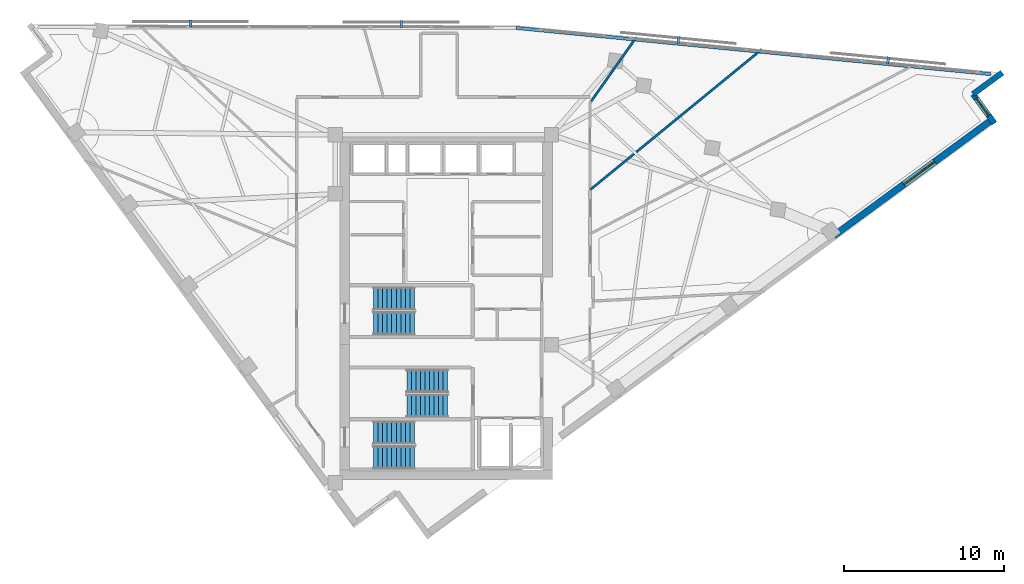
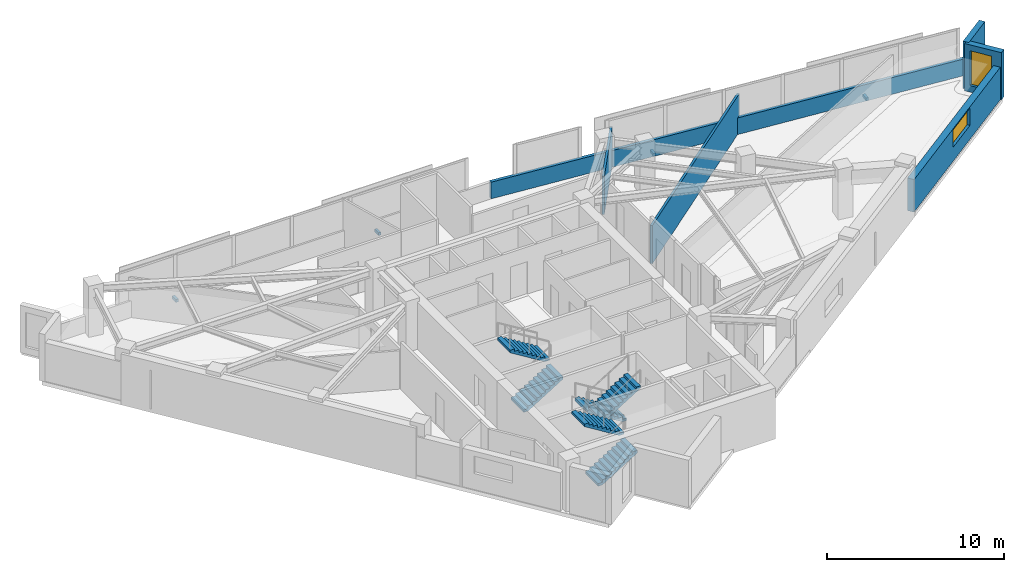
# One storey, part 11 of 13: 6 stair flights, 6 walls, 4 discrete accessories, 2 windows, 2 openings, 3 elements without a shape of their own.
"""IFC4 building model written with IfcOpenShell, lengths in metres."""

from ifc_helpers import new_model, si_unit, direction, frame, frame_2d, origin, origin_2d, place, context, subcontext, project, spatial, polyline, rectangle, outline, extrude, material, layer, layer_set, type_object, element, fill, aggregate, save


model = new_model("IFC4")

# Units and contexts
model_context = context("Model", 3, precision=1e-05, world=origin(), true_north=direction((0.0, 1.0)))
body_context = subcontext(model_context, "Body", "Model", "MODEL_VIEW")
ifc_project = project(units=[si_unit("LENGTHUNIT", "METRE"), si_unit("AREAUNIT", "SQUARE_METRE"), si_unit("VOLUMEUNIT", "CUBIC_METRE"), si_unit("PLANEANGLEUNIT", "RADIAN"), si_unit("MASSUNIT", "GRAM", prefix="KILO")], contexts=[model_context])

# Site, building, storey
site_placement = place(None, origin())
site = spatial("IfcSite", under=ifc_project, at=site_placement, CompositionType="ELEMENT")
building_placement = place(site_placement, origin())
building = spatial("IfcBuilding", under=site, at=building_placement, Name="Narakoshi Arena Tower", CompositionType="ELEMENT")
storey_placement = place(building_placement, frame((0.0, 0.0, 246.659912109375)))
storey = spatial("IfcBuildingStorey", under=building, at=storey_placement, Name="L67", CompositionType="ELEMENT", Elevation=246.659912109375)

# Wall
ifc_material_1 = material(Name="Precast concrete C45/55", Category="concrete")
ifc_layer_1 = layer(ifc_material_1, 0.25)
ifc_layer_set_1 = layer_set([ifc_layer_1], Name="Precast concrete C45/55")
wall_type_1 = type_object("IfcWallType", Name="WL-PARA-250", PredefinedType="PARAPET", material=ifc_layer_set_1)
wall_1_placement = place(storey_placement, frame((113.093505859375, 60.296630859375, 0.0), z_axis=(0.0, 0.0, 1.0), x_axis=(-0.995299069493, 0.096849172769, 0.0)))
element("IfcWall", 1, at=wall_1_placement, inside=storey, type_object=wall_type_1, Name="L67 Hypotenuse Sill Upstand Parapet 1-01", PredefinedType="PARAPET", context=body_context, shape_type="SweptSolid", body=[
    extrude(rectangle(XDim=29.917236328125, YDim=0.199951171875, at=frame_2d((14.95849609375, 0.0))), origin(), (0.0, 0.0, 1.0), 1.150146484375),
])

# Wall, opening, window
ifc_layer_2 = layer(ifc_material_1, 0.419921875)
ifc_layer_set_2 = layer_set([ifc_layer_2], Name="Precast concrete C45/55")
wall_type_2 = type_object("IfcWallType", Name="WL-POD-420", PredefinedType="SOLIDWALL", material=ifc_layer_set_2)
wall_2_placement = place(storey_placement, frame((103.236572265625, 50.17529296875, 0.0), z_axis=(0.0, 0.0, 1.0), x_axis=(0.80643721533, 0.591319725471, 0.0)))
wall_2 = element("IfcWall", 2, at=wall_2_placement, inside=storey, type_object=wall_type_2, Name="L67 Architectural Concrete Facade Wall LEGA-4", PredefinedType="SOLIDWALL", context=body_context, shape_type="SweptSolid", body=[
    extrude(rectangle(XDim=12.285400390625, YDim=0.419921875, at=frame_2d((6.142578125, 0.0))), origin(), (0.0, 0.0, 1.0), 2.2451171875),
])
opening_1_placement = place(wall_2_placement, frame((5.443359375, 0.0, 0.965087890625)))
opening_1 = element("IfcOpeningElement", 3, at=opening_1_placement, cuts=wall_2, Name="Opening WN-04", PredefinedType="OPENING", context=body_context, shape_type="SweptSolid", body=[
    extrude(rectangle(XDim=2.39990234375, YDim=1.199951171875, at=frame_2d((1.199951171875, 0.60009765625))), frame((0.0, 0.219970703125, 0.0), z_axis=(0.0, -1.0, 0.0), x_axis=(1.0, 0.0, 0.0)), (0.0, 0.0, 1.0), 0.43994140625),
])
ifc_material_2 = material(Name="Bronze-tinted low-E laminated glass", Category="glass")
window_type_1 = type_object("IfcWindowType", Name="WIN-SLT-24x12", PartitioningType="SINGLE_PANEL", PredefinedType="WINDOW", material=ifc_material_2)
window_1_placement = place(opening_1_placement, origin())
window_1 = element("IfcWindow", 4, at=window_1_placement, inside=storey, type_object=window_type_1, Name="L67 LEGA4 Horizontal Slot Window 1", OverallHeight=1.199951171875, OverallWidth=2.39990234375, PartitioningType="SINGLE_PANEL", PredefinedType="WINDOW", context=body_context, shape_type="SweptSolid", body=[
    extrude(rectangle(XDim=2.39990234375, YDim=1.199951171875, at=frame_2d((1.199951171875, 0.60009765625))), frame((0.0, 0.030029296875, 0.0), z_axis=(0.0, -1.0, 0.0), x_axis=(1.0, 0.0, 0.0)), (0.0, 0.0, 1.0), 0.06005859375),
])
fill(opening_1, window_1)

wall_3_placement = place(storey_placement, frame((113.306640625, 57.218017578125, 0.0), z_axis=(0.0, 0.0, 1.0), x_axis=(-0.591251685745, 0.806487101015, 0.0)))
wall_3 = element("IfcWall", 5, at=wall_3_placement, inside=storey, type_object=wall_type_2, Name="L67 Re-Entrant Corner Notch Wall NTE-1", PredefinedType="SOLIDWALL", context=body_context, shape_type="SweptSolid", body=[
    extrude(rectangle(XDim=2.2685546875, YDim=0.360107421875, at=frame_2d((1.13427734375, 0.0))), origin(), (0.0, 0.0, 1.0), 3.260009765625),
])
opening_2_placement = place(wall_3_placement, frame((0.628662109375, 0.0, 0.449951171875)))
opening_2 = element("IfcOpeningElement", 6, at=opening_2_placement, cuts=wall_3, Name="Opening WN-06", PredefinedType="OPENING", context=body_context, shape_type="SweptSolid", body=[
    extrude(rectangle(XDim=1.300048828125, YDim=2.39990234375, at=frame_2d((0.64990234375, 1.199951171875))), frame((0.0, 0.18994140625, 0.0), z_axis=(0.0, -1.0, 0.0), x_axis=(1.0, 0.0, 0.0)), (0.0, 0.0, 1.0), 0.380126953125),
])
window_type_2 = type_object("IfcWindowType", Name="WIN-NTC-16x24", PartitioningType="SINGLE_PANEL", PredefinedType="WINDOW", material=ifc_material_2)
window_2_placement = place(opening_2_placement, origin())
window_2 = element("IfcWindow", 7, at=window_2_placement, inside=storey, type_object=window_type_2, Name="L67 Corner Notch Window NTE", OverallHeight=2.39990234375, OverallWidth=1.300048828125, PartitioningType="SINGLE_PANEL", PredefinedType="WINDOW", context=body_context, shape_type="SweptSolid", body=[
    extrude(rectangle(XDim=1.300048828125, YDim=2.39990234375, at=frame_2d((0.64990234375, 1.199951171875))), frame((0.0, 0.030029296875, 0.0), z_axis=(0.0, -1.0, 0.0), x_axis=(1.0, 0.0, 0.0)), (0.0, 0.0, 1.0), 0.06005859375),
])
fill(opening_2, window_2)

# Walls
wall_4_placement = place(storey_placement, frame((111.96533203125, 59.047607421875, 0.0), z_axis=(0.0, 0.0, 1.0), x_axis=(0.806435785153, 0.59132167593, 0.0)))
element("IfcWall", 8, at=wall_4_placement, inside=storey, type_object=wall_type_2, Name="L67 Re-Entrant Corner Notch Wall NTE-2", PredefinedType="SOLIDWALL", context=body_context, shape_type="SweptSolid", body=[
    extrude(rectangle(XDim=2.268798828125, YDim=0.360107421875, at=frame_2d((1.13427734375, 0.0))), origin(), (0.0, 0.0, 1.0), 3.260009765625),
])
ifc_material_3 = material(Name="Moisture-resistant cement-board partition")
ifc_layer_3 = layer(ifc_material_3, 0.14501953125)
ifc_layer_set_3 = layer_set([ifc_layer_3], Name="Moisture-resistant cement-board partition")
wall_type_3 = type_object("IfcWallType", Name="WL-WET-145", PredefinedType="PARTITIONING", material=ifc_layer_set_3)
wall_5_placement = place(storey_placement, frame((87.966796875, 53.045654296875, 0.0), z_axis=(0.0, 0.0, 1.0), x_axis=(0.773820411184, 0.633405060949, 0.0)))
element("IfcWall", 9, at=wall_5_placement, inside=storey, type_object=wall_type_3, Name="L67 Inter-Room Partition 04-05", PredefinedType="PARTITIONING", context=body_context, shape_type="SweptSolid", body=[
    extrude(rectangle(XDim=13.907958984375, YDim=0.14501953125, at=frame_2d((6.9541015625, 0.0))), origin(), (0.0, 0.0, 1.0), 2.64501953125),
])
wall_6_placement = place(storey_placement, frame((88.026611328125, 58.5869140625, 0.0), z_axis=(0.0, 0.0, 1.0), x_axis=(0.576681255658, 0.816969234043, 0.0)))
element("IfcWall", 10, at=wall_6_placement, inside=storey, type_object=wall_type_3, Name="L67 Inter-Room Partition 05-06", PredefinedType="PARTITIONING", context=body_context, shape_type="SweptSolid", body=[
    extrude(rectangle(XDim=4.935791015625, YDim=0.14501953125, at=frame_2d((2.4677734375, 0.0))), origin(), (0.0, 0.0, 1.0), 2.64501953125),
])

# Stair, stair flights
ifc_material_4 = material(Name="Concrete C45/55", Category="concrete")
stair_type = type_object("IfcStairType", Name="STR-CORE-352", PredefinedType="TWO_STRAIGHT_RUN_STAIR", material=ifc_material_4)
stair_1_placement = place(storey_placement, origin())
stair_1 = element("IfcStair", 11, at=stair_1_placement, inside=storey, type_object=stair_type, Name="L67 Core Escape Stair ST1", PredefinedType="TWO_STRAIGHT_RUN_STAIR")
stair_flight_type = type_object("IfcStairFlightType", Name="FLT-145-160", PredefinedType="STRAIGHT", material=ifc_material_1)
stair_flight_1_placement = place(storey_placement, frame((74.39990234375, 36.27490234375, 0.0), z_axis=(0.0, 0.0, 1.0), x_axis=(1.0, 0.0, 0.0)))
stair_flight_1 = element("IfcStairFlight", 12, at=stair_flight_1_placement, type_object=stair_flight_type, Name="ST1 flight 1", NumberOfRisers=10, NumberOfTreads=9, PredefinedType="STRAIGHT", RiserHeight=0.176, TreadLength=0.285, context=body_context, shape_type="SweptSolid", body=[
    extrude(outline(polyline([(0.0, 0.0), (0.0, 0.176025390625), (0.284912109375, 0.176025390625), (0.284912109375, 0.35205078125), (0.570068359375, 0.35205078125), (0.570068359375, 0.528076171875), (0.85498046875, 0.528076171875), (0.85498046875, 0.7041015625), (1.139892578125, 0.7041015625), (1.139892578125, 0.8798828125), (1.425048828125, 0.8798828125), (1.425048828125, 1.055908203125), (1.7099609375, 1.055908203125), (1.7099609375, 1.23193359375), (1.9951171875, 1.23193359375), (1.9951171875, 1.407958984375), (2.280029296875, 1.407958984375), (2.280029296875, 1.583984375), (2.56494140625, 1.583984375), (2.56494140625, 1.760009765625), (2.56494140625, 1.40771484375), (0.285400390625, 0.0), (0.0, 0.0)])), frame((0.0, 0.72509765625, 0.0), z_axis=(0.0, -1.0, 0.0), x_axis=(1.0, 0.0, 0.0)), (0.0, 0.0, 1.0), 1.449951171875),
])
stair_flight_2_placement = place(storey_placement, frame((76.965087890625, 37.824951171875, 1.760009765625), z_axis=(0.0, 0.0, 1.0), x_axis=(-1.0, 0.0, 0.0)))
stair_flight_2 = element("IfcStairFlight", 13, at=stair_flight_2_placement, type_object=stair_flight_type, Name="ST1 flight 2", NumberOfRisers=10, NumberOfTreads=9, PredefinedType="STRAIGHT", RiserHeight=0.176, TreadLength=0.285, context=body_context, shape_type="SweptSolid", body=[
    extrude(outline(polyline([(0.0, 0.0), (0.0, 0.176025390625), (0.284912109375, 0.176025390625), (0.284912109375, 0.35205078125), (0.570068359375, 0.35205078125), (0.570068359375, 0.528076171875), (0.85498046875, 0.528076171875), (0.85498046875, 0.7041015625), (1.139892578125, 0.7041015625), (1.139892578125, 0.8798828125), (1.425048828125, 0.8798828125), (1.425048828125, 1.055908203125), (1.7099609375, 1.055908203125), (1.7099609375, 1.23193359375), (1.9951171875, 1.23193359375), (1.9951171875, 1.407958984375), (2.280029296875, 1.407958984375), (2.280029296875, 1.583984375), (2.56494140625, 1.583984375), (2.56494140625, 1.760009765625), (2.56494140625, 1.40771484375), (0.285400390625, 0.0), (0.0, 0.0)])), frame((0.0, 0.72509765625, 0.0), z_axis=(0.0, -1.0, 0.0), x_axis=(1.0, 0.0, 0.0)), (0.0, 0.0, 1.0), 1.449951171875),
])
aggregate(stair_1, [stair_flight_1, stair_flight_2])

stair_2_placement = place(storey_placement, origin())
stair_2 = element("IfcStair", 14, at=stair_2_placement, inside=storey, type_object=stair_type, Name="L67 Core Escape Stair ST2", PredefinedType="TWO_STRAIGHT_RUN_STAIR")
stair_flight_3_placement = place(storey_placement, frame((79.050048828125, 41.074951171875, 0.0), z_axis=(0.0, 0.0, 1.0), x_axis=(-1.0, 0.0, 0.0)))
stair_flight_3 = element("IfcStairFlight", 15, at=stair_flight_3_placement, type_object=stair_flight_type, Name="ST2 flight 1", NumberOfRisers=10, NumberOfTreads=9, PredefinedType="STRAIGHT", RiserHeight=0.176, TreadLength=0.285, context=body_context, shape_type="SweptSolid", body=[
    extrude(outline(polyline([(0.0, 0.0), (0.0, 0.176025390625), (0.284912109375, 0.176025390625), (0.284912109375, 0.35205078125), (0.570068359375, 0.35205078125), (0.570068359375, 0.528076171875), (0.85498046875, 0.528076171875), (0.85498046875, 0.7041015625), (1.139892578125, 0.7041015625), (1.139892578125, 0.8798828125), (1.425048828125, 0.8798828125), (1.425048828125, 1.055908203125), (1.7099609375, 1.055908203125), (1.7099609375, 1.23193359375), (1.9951171875, 1.23193359375), (1.9951171875, 1.407958984375), (2.280029296875, 1.407958984375), (2.280029296875, 1.583984375), (2.56494140625, 1.583984375), (2.56494140625, 1.760009765625), (2.56494140625, 1.40771484375), (0.285400390625, 0.0), (0.0, 0.0)])), frame((0.0, 0.72509765625, 0.0), z_axis=(0.0, -1.0, 0.0), x_axis=(1.0, 0.0, 0.0)), (0.0, 0.0, 1.0), 1.449951171875),
])
stair_flight_4_placement = place(storey_placement, frame((76.485107421875, 39.52490234375, 1.760009765625), z_axis=(0.0, 0.0, 1.0), x_axis=(1.0, 0.0, 0.0)))
stair_flight_4 = element("IfcStairFlight", 16, at=stair_flight_4_placement, type_object=stair_flight_type, Name="ST2 flight 2", NumberOfRisers=10, NumberOfTreads=9, PredefinedType="STRAIGHT", RiserHeight=0.176, TreadLength=0.285, context=body_context, shape_type="SweptSolid", body=[
    extrude(outline(polyline([(0.0, 0.0), (0.0, 0.176025390625), (0.284912109375, 0.176025390625), (0.284912109375, 0.35205078125), (0.570068359375, 0.35205078125), (0.570068359375, 0.528076171875), (0.85498046875, 0.528076171875), (0.85498046875, 0.7041015625), (1.139892578125, 0.7041015625), (1.139892578125, 0.8798828125), (1.425048828125, 0.8798828125), (1.425048828125, 1.055908203125), (1.7099609375, 1.055908203125), (1.7099609375, 1.23193359375), (1.9951171875, 1.23193359375), (1.9951171875, 1.407958984375), (2.280029296875, 1.407958984375), (2.280029296875, 1.583984375), (2.56494140625, 1.583984375), (2.56494140625, 1.760009765625), (2.56494140625, 1.40771484375), (0.285400390625, 0.0), (0.0, 0.0)])), frame((0.0, 0.72509765625, 0.0), z_axis=(0.0, -1.0, 0.0), x_axis=(1.0, 0.0, 0.0)), (0.0, 0.0, 1.0), 1.449951171875),
])
aggregate(stair_2, [stair_flight_3, stair_flight_4])

stair_3_placement = place(storey_placement, origin())
stair_3 = element("IfcStair", 17, at=stair_3_placement, inside=storey, type_object=stair_type, Name="L67 Core Escape Stair ST3", PredefinedType="TWO_STRAIGHT_RUN_STAIR")
stair_flight_5_placement = place(storey_placement, frame((74.39990234375, 44.675048828125, 0.0), z_axis=(0.0, 0.0, 1.0), x_axis=(1.0, 0.0, 0.0)))
stair_flight_5 = element("IfcStairFlight", 18, at=stair_flight_5_placement, type_object=stair_flight_type, Name="ST3 flight 1", NumberOfRisers=10, NumberOfTreads=9, PredefinedType="STRAIGHT", RiserHeight=0.176, TreadLength=0.285, context=body_context, shape_type="SweptSolid", body=[
    extrude(outline(polyline([(0.0, 0.0), (0.0, 0.176025390625), (0.284912109375, 0.176025390625), (0.284912109375, 0.35205078125), (0.570068359375, 0.35205078125), (0.570068359375, 0.528076171875), (0.85498046875, 0.528076171875), (0.85498046875, 0.7041015625), (1.139892578125, 0.7041015625), (1.139892578125, 0.8798828125), (1.425048828125, 0.8798828125), (1.425048828125, 1.055908203125), (1.7099609375, 1.055908203125), (1.7099609375, 1.23193359375), (1.9951171875, 1.23193359375), (1.9951171875, 1.407958984375), (2.280029296875, 1.407958984375), (2.280029296875, 1.583984375), (2.56494140625, 1.583984375), (2.56494140625, 1.760009765625), (2.56494140625, 1.40771484375), (0.285400390625, 0.0), (0.0, 0.0)])), frame((0.0, 0.72509765625, 0.0), z_axis=(0.0, -1.0, 0.0), x_axis=(1.0, 0.0, 0.0)), (0.0, 0.0, 1.0), 1.449951171875),
])
stair_flight_6_placement = place(storey_placement, frame((76.965087890625, 46.22509765625, 1.760009765625), z_axis=(0.0, 0.0, 1.0), x_axis=(-1.0, 0.0, 0.0)))
stair_flight_6 = element("IfcStairFlight", 19, at=stair_flight_6_placement, type_object=stair_flight_type, Name="ST3 flight 2", NumberOfRisers=10, NumberOfTreads=9, PredefinedType="STRAIGHT", RiserHeight=0.176, TreadLength=0.285, context=body_context, shape_type="SweptSolid", body=[
    extrude(outline(polyline([(0.0, 0.0), (0.0, 0.176025390625), (0.284912109375, 0.176025390625), (0.284912109375, 0.35205078125), (0.570068359375, 0.35205078125), (0.570068359375, 0.528076171875), (0.85498046875, 0.528076171875), (0.85498046875, 0.7041015625), (1.139892578125, 0.7041015625), (1.139892578125, 0.8798828125), (1.425048828125, 0.8798828125), (1.425048828125, 1.055908203125), (1.7099609375, 1.055908203125), (1.7099609375, 1.23193359375), (1.9951171875, 1.23193359375), (1.9951171875, 1.407958984375), (2.280029296875, 1.407958984375), (2.280029296875, 1.583984375), (2.56494140625, 1.583984375), (2.56494140625, 1.760009765625), (2.56494140625, 1.40771484375), (0.285400390625, 0.0), (0.0, 0.0)])), frame((0.0, 0.72509765625, 0.0), z_axis=(0.0, -1.0, 0.0), x_axis=(1.0, 0.0, 0.0)), (0.0, 0.0, 1.0), 1.449951171875),
])
aggregate(stair_3, [stair_flight_5, stair_flight_6])

# Discrete accessories
ifc_material_5 = material(Name="Structural steel S355J2", Category="steel")
discrete_accessory_type = type_object("IfcDiscreteAccessoryType", Name="ACC-BRK-SCR", PredefinedType="BRACKET", material=ifc_material_5)
for number, where, z_axis, x_axis, name in (
    (20, (106.636474609375, 61.166015625, -0.080078125), (0.0, 0.0, 1.0), (-0.995298664587, 0.096853333819, 0.0), "L67 Solar Screen Support Bracket SHD-L67-SCR1-1"),
    (21, (93.498291015625, 62.444580078125, -0.080078125), (0.0, 0.0, 1.0), (-0.995298664587, 0.096853333819, 0.0), "L67 Solar Screen Support Bracket SHD-L67-SCR1-2"),
    (22, (76.1328125, 63.4462890625, -0.080078125), (0.0, 0.0, 1.0), (-0.999998352629, 0.001815141425, 0.0), "L67 Solar Screen Support Bracket SHD-L67-SCR2-1"),
    (23, (62.9326171875, 63.470458984375, -0.080078125), (0.0, 0.0, 1.0), (-0.999998352629, 0.001815141425, 0.0), "L67 Solar Screen Support Bracket SHD-L67-SCR2-2"),
):
    element("IfcDiscreteAccessory", number, at=place(storey_placement, frame(where, z_axis=z_axis, x_axis=x_axis)), inside=storey, type_object=discrete_accessory_type, Name=name, PredefinedType="BRACKET", context=body_context, shape_type="SweptSolid", body=[
        extrude(rectangle(XDim=0.159912109375, YDim=0.43994140625, at=origin_2d()), origin(), (0.0, 0.0, 1.0), 0.199951171875),
    ])

save(model, "model.ifc")
